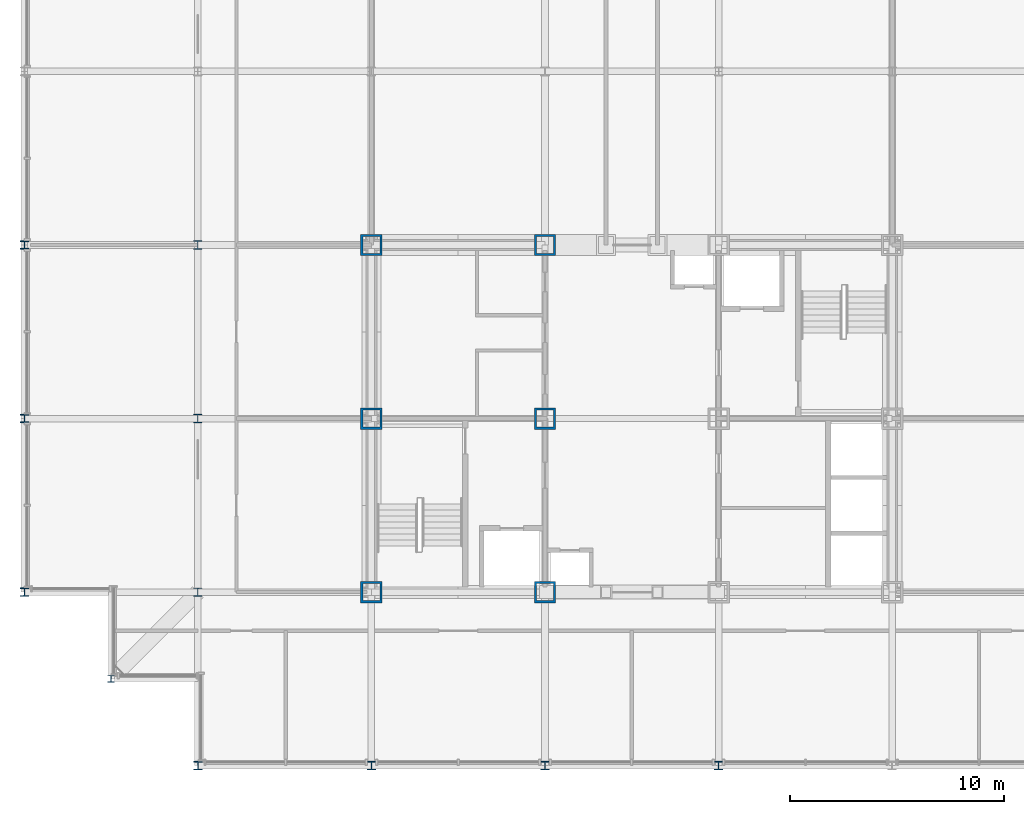
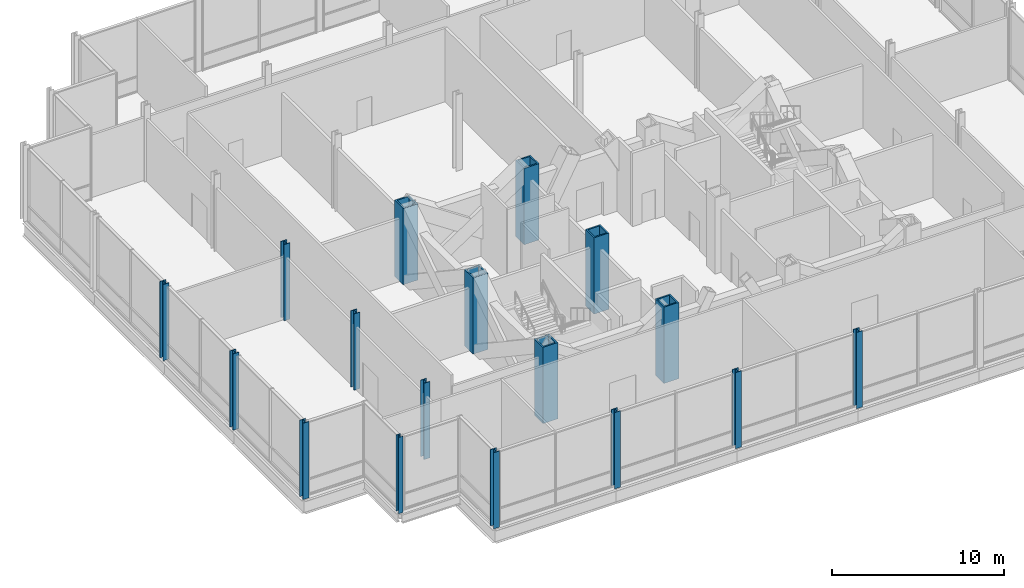
# One storey, part 1 of 21: 17 columns.
"""IFC4 building model written with IfcOpenShell, lengths in metres."""

import ifcopenshell
import ifcopenshell.guid

model = None  # the IFC model being written
_history = None  # IfcOwnerHistory: only IFC2X3 demands one
_inside = {}  # id of a spatial element -> (the spatial element, [elements in it])
_under = {}  # id of a project, library or spatial element -> (it, [spatial elements below it])
_declared = {}  # id of a project -> (the project, [libraries it declares])
_typed = {}  # id of a type object -> (the type object, [elements of that type])
_made_of = {}  # id of a material, layer set ... -> (it, [elements and type objects made of it])


def new_model(schema):
    """Start an empty IFC model of exactly this schema.

    Asked for "IFC4X3", IfcOpenShell would pick the latest addendum, in which some entities
    have other attributes; the version numbers below select the first issue.
    IFC2X3 requires an IfcOwnerHistory on every rooted entity: one is made here for all.
    """
    global model, _history
    if schema == "IFC4X3":
        model = ifcopenshell.file(schema_version=(4, 3, 0, 0))
    else:
        model = ifcopenshell.file(schema=schema)
    _inside.clear()
    _under.clear()
    _declared.clear()
    _typed.clear()
    _made_of.clear()
    _history = None
    if model.schema == "IFC2X3":
        org = make("IfcOrganization", Name="unknown")
        user = make(
            "IfcPersonAndOrganization",
            ThePerson=make("IfcPerson", FamilyName="unknown"),
            TheOrganization=org,
        )
        app = make(
            "IfcApplication",
            ApplicationDeveloper=org,
            Version="unknown",
            ApplicationFullName="unknown",
            ApplicationIdentifier="unknown",
        )
        _history = make(
            "IfcOwnerHistory",
            OwningUser=user,
            OwningApplication=app,
            ChangeAction="ADDED",
            CreationDate=0,
        )
    return model


def make(cls, **values):
    """One entity of the class cls with the attributes given. An attribute that is None is left unset."""
    return model.create_entity(
        cls, **{name: value for name, value in values.items() if value is not None}
    )


def rooted(cls, **values):
    """An entity with a GlobalId (a new one), such as an element, a storey or a relation."""
    return make(cls, GlobalId=ifcopenshell.guid.new(), OwnerHistory=_history, **values)


def si_unit(unit_type, name, prefix=None):
    """IfcSIUnit, for example si_unit("LENGTHUNIT", "METRE", prefix="MILLI")."""
    return make("IfcSIUnit", UnitType=unit_type, Prefix=prefix, Name=name)


def assignment(units):
    """IfcUnitAssignment: the units of a project."""
    return None if units is None else make("IfcUnitAssignment", Units=units)


def point(xyz):
    """IfcCartesianPoint."""
    return None if xyz is None else make("IfcCartesianPoint", Coordinates=xyz)


def direction(xyz):
    """IfcDirection."""
    return None if xyz is None else make("IfcDirection", DirectionRatios=xyz)


def frame(location, z_axis=None, x_axis=None):
    """IfcAxis2Placement3D, a coordinate frame: its origin and axes. An axis left out is left unset."""
    return make(
        "IfcAxis2Placement3D",
        Location=point(location),
        Axis=direction(z_axis),
        RefDirection=direction(x_axis),
    )


def frame_2d(location, x_axis=None):
    """IfcAxis2Placement2D, a coordinate frame in the plane: its origin and x axis."""
    return make(
        "IfcAxis2Placement2D", Location=point(location), RefDirection=direction(x_axis)
    )


def origin():
    """The frame at (0, 0, 0) with its axes left unset."""
    return frame((0.0, 0.0, 0.0))


def origin_2d():
    """The frame at (0, 0) in the plane with its x axis left unset."""
    return frame_2d((0.0, 0.0))


def place(relative_to, where):
    """IfcLocalPlacement: puts the frame where relative to a parent placement (None: the world)."""
    return make(
        "IfcLocalPlacement", PlacementRelTo=relative_to, RelativePlacement=where
    )


def context(
    kind, dimensions, precision=None, world=None, true_north=None, identifier=None
):
    """IfcGeometricRepresentationContext, for example the 3D "Model" context."""
    return make(
        "IfcGeometricRepresentationContext",
        ContextIdentifier=identifier,
        ContextType=kind,
        CoordinateSpaceDimension=dimensions,
        Precision=precision,
        WorldCoordinateSystem=world,
        TrueNorth=true_north,
    )


def subcontext(parent, identifier, kind, view, scale=None):
    """IfcGeometricRepresentationSubContext, for example "Body" below "Model"."""
    return make(
        "IfcGeometricRepresentationSubContext",
        ContextIdentifier=identifier,
        ContextType=kind,
        ParentContext=parent,
        TargetScale=scale,
        TargetView=view,
    )


def project(units=None, contexts=None):
    """IfcProject with its units and contexts."""
    return rooted(
        "IfcProject",
        Name="project",
        RepresentationContexts=contexts,
        UnitsInContext=assignment(units),
    )


def spatial(cls, under=None, at=None, **own):
    """A site, building, storey or space (cls), placed at a placement, below another one or the project."""
    s = rooted(cls, ObjectPlacement=at, **own)
    if under is not None:
        _under.setdefault(under.id(), (under, []))[1].append(s)
    return s


def profile(cls, at=None, kind="AREA", **sizes):
    """A parametric profile (cls). Its sizes go by their IFC names, for example OverallWidth=200.0."""
    return make(cls, ProfileType=kind, Position=at, **sizes)


def hollow_rectangle(**sizes):
    """IfcRectangleHollowProfileDef."""
    return profile("IfcRectangleHollowProfileDef", **sizes)


def i_section(**sizes):
    """IfcIShapeProfileDef."""
    return profile("IfcIShapeProfileDef", **sizes)


def extrude(swept, where, along, depth):
    """IfcExtrudedAreaSolid: the profile swept, set in the frame where, extruded along a direction by depth."""
    return make(
        "IfcExtrudedAreaSolid",
        SweptArea=swept,
        Position=where,
        ExtrudedDirection=direction(along),
        Depth=depth,
    )


def shape(context_of_items, identifier, shape_type, items):
    """IfcShapeRepresentation: the items that make up one representation, for example the "Body"."""
    return make(
        "IfcShapeRepresentation",
        ContextOfItems=context_of_items,
        RepresentationIdentifier=identifier,
        RepresentationType=shape_type,
        Items=items,
    )


def material(Name=None, Category=None):
    """IfcMaterial."""
    return make("IfcMaterial", Name=Name, Category=Category)


def material_profile(
    of_material, cross_section, Name=None, Category=None, Priority=None
):
    """IfcMaterialProfile: a cross section and its material."""
    return make(
        "IfcMaterialProfile",
        Name=Name,
        Material=of_material,
        Profile=cross_section,
        Priority=Priority,
        Category=Category,
    )


def profile_set(profiles, Name=None, composite=None):
    """IfcMaterialProfileSet."""
    return make(
        "IfcMaterialProfileSet",
        Name=Name,
        MaterialProfiles=profiles,
        CompositeProfile=composite,
    )


def made_of(thing, what):
    """Note that an element or type object is made of a material, layer set ...; save() writes the relation."""
    if what is not None:
        _made_of.setdefault(what.id(), (what, []))[1].append(thing)
    return thing


def type_object(cls, material=None, **own):
    """A type object (cls), such as IfcWallType, which elements share."""
    return made_of(rooted(cls, **own), material)


def element(
    cls,
    number,
    at=None,
    inside=None,
    cuts=None,
    type_object=None,
    material=None,
    context=None,
    identifier="Body",
    shape_type=None,
    held_by="IfcProductDefinitionShape",
    body=None,
    shapes=None,
    **own,
):
    """One element of the class cls, such as IfcWall. Its Tag is "e" and its number.

    at: its placement. inside: the storey or other place that contains it. cuts: it is an
    opening in that element (IfcRelVoidsElement). A single representation is given by context,
    identifier, shape_type and body (its items); several are given by shapes. held_by: the class
    of the entity that holds the representations. save() writes the other relations.
    """
    e = rooted(cls, Tag="e%d" % number, ObjectPlacement=at, **own)
    if body is not None:
        shapes = [shape(context, identifier, shape_type, body)]
    if shapes is not None:
        e.Representation = make(held_by, Representations=shapes)
    if inside is not None:
        _inside.setdefault(inside.id(), (inside, []))[1].append(e)
    if cuts is not None:
        rooted(
            "IfcRelVoidsElement", RelatingBuildingElement=cuts, RelatedOpeningElement=e
        )
    if type_object is not None:
        _typed.setdefault(type_object.id(), (type_object, []))[1].append(e)
    return made_of(e, material)


def aggregate(whole, parts):
    """IfcRelAggregates: a whole, such as a stair, and the parts it consists of."""
    return rooted("IfcRelAggregates", RelatingObject=whole, RelatedObjects=parts)


def save(model, path):
    """Write the relations noted so far, then the file.

    IfcRelAggregates (storeys below a building ...), IfcRelContainedInSpatialStructure (elements
    in a storey), IfcRelDefinesByType, IfcRelAssociatesMaterial and IfcRelDeclares: one each for
    every whole, place, type object, material and project.
    """
    for whole, parts in _under.values():
        aggregate(whole, parts)
    for where, things in _inside.values():
        rooted(
            "IfcRelContainedInSpatialStructure",
            RelatedElements=things,
            RelatingStructure=where,
        )
    for kind, things in _typed.values():
        rooted("IfcRelDefinesByType", RelatedObjects=things, RelatingType=kind)
    for what, things in _made_of.values():
        rooted("IfcRelAssociatesMaterial", RelatedObjects=things, RelatingMaterial=what)
    for by, libraries in _declared.values():
        rooted("IfcRelDeclares", RelatingContext=by, RelatedDefinitions=libraries)
    model.write(path)


model = new_model("IFC4")

# Units and contexts
model_context = context("Model", 3, precision=1e-05, world=origin(), true_north=direction((0.0, 1.0)))
body_context = subcontext(model_context, "Body", "Model", "MODEL_VIEW")
ifc_project = project(units=[si_unit("LENGTHUNIT", "METRE"), si_unit("AREAUNIT", "SQUARE_METRE"), si_unit("VOLUMEUNIT", "CUBIC_METRE"), si_unit("PLANEANGLEUNIT", "RADIAN"), si_unit("MASSUNIT", "GRAM", prefix="KILO")], contexts=[model_context])

# Site, building, storey
site_placement = place(None, origin())
site = spatial("IfcSite", under=ifc_project, at=site_placement, CompositionType="ELEMENT")
building_placement = place(site_placement, origin())
building = spatial("IfcBuilding", under=site, at=building_placement, Name="Kopane Lantern Tower", CompositionType="ELEMENT")
storey_placement = place(building_placement, frame((0.0, 0.0, 298.5)))
storey = spatial("IfcBuildingStorey", under=building, at=storey_placement, Name="L76", CompositionType="ELEMENT", Elevation=298.5)

# Columns
ifc_material_1 = material(Name="Steel S355JR", Category="steel")
ifc_material_profile_1 = material_profile(ifc_material_1, hollow_rectangle(XDim=1.0, YDim=1.0, WallThickness=0.10009765625, at=origin_2d()), Name="BOX 1000x1000x100")
ifc_profile_set_1 = profile_set([ifc_material_profile_1], Name="Steel S355JR")
column_type_1 = type_object("IfcColumnType", Name="COLUMN BOX 1000x1000x100", PredefinedType="COLUMN", material=ifc_profile_set_1)
for number, where, z_axis, x_axis, name in (
    (1, (16.199951171875, 24.300048828125, 0.0), (0.0, 0.0, 1.0), (1.0, 0.0, 0.0), "Column 4/E L76"),
    (2, (16.199951171875, 32.39990234375, 0.0), (0.0, 0.0, 1.0), (1.0, 0.0, 0.0), "Column 4/F L76"),
    (3, (16.199951171875, 40.5, 0.0), (0.0, 0.0, 1.0), (1.0, 0.0, 0.0), "Column 4/G L76"),
    (4, (24.300048828125, 24.300048828125, 0.0), (0.0, 0.0, 1.0), (1.0, 0.0, 0.0), "Column 5/E L76"),
    (5, (24.300048828125, 32.39990234375, 0.0), (0.0, 0.0, 1.0), (1.0, 0.0, 0.0), "Column 5/F L76"),
    (6, (24.300048828125, 40.5, 0.0), (0.0, 0.0, 1.0), (1.0, 0.0, 0.0), "Column 5/G L76"),
):
    element("IfcColumn", number, at=place(storey_placement, frame(where, z_axis=z_axis, x_axis=x_axis)), inside=storey, type_object=column_type_1, Name=name, PredefinedType="COLUMN", context=body_context, shape_type="SweptSolid", body=[
        extrude(hollow_rectangle(XDim=1.0, YDim=1.0, WallThickness=0.10009765625, at=origin_2d()), origin(), (0.0, 0.0, 1.0), 5.39990234375),
    ])
ifc_material_2 = material(Name="Steel S355JR", Category="steel")
ifc_material_profile_2 = material_profile(ifc_material_2, i_section(OverallWidth=0.307373046875, OverallDepth=0.314453125, WebThickness=0.011962890625, FlangeThickness=0.018798828125, FilletRadius=0.01513671875, at=origin_2d()), Name="UC 305x305x118")
ifc_profile_set_2 = profile_set([ifc_material_profile_2], Name="Steel S355JR")
column_type_2 = type_object("IfcColumnType", Name="COLUMN UC 305x305x118", PredefinedType="COLUMN", material=ifc_profile_set_2)
column_placement = place(storey_placement, frame((4.050048828125, 20.25, 0.0), z_axis=(0.0, 0.0, 1.0), x_axis=(1.0, 0.0, 0.0)))
element("IfcColumn", 7, at=column_placement, inside=storey, type_object=column_type_2, Name="Column 4.05/20.25 L76", PredefinedType="COLUMN", context=body_context, shape_type="SweptSolid", body=[
    extrude(i_section(OverallWidth=0.307373046875, OverallDepth=0.314453125, WebThickness=0.011962890625, FlangeThickness=0.018798828125, FilletRadius=0.01513671875, at=origin_2d()), origin(), (0.0, 0.0, 1.0), 5.39990234375),
])
ifc_material_3 = material(Name="Steel S355JR", Category="steel")
ifc_material_profile_3 = material_profile(ifc_material_3, i_section(OverallWidth=0.39892578125, OverallDepth=0.3935546875, WebThickness=0.022705078125, FlangeThickness=0.03662109375, FilletRadius=0.01513671875, at=origin_2d()), Name="UC 356x406x287")
ifc_profile_set_3 = profile_set([ifc_material_profile_3], Name="Steel S355JR")
column_type_3 = type_object("IfcColumnType", Name="COLUMN UC 356x406x287", PredefinedType="COLUMN", material=ifc_profile_set_3)
for number, where, z_axis, x_axis, name in (
    (8, (0.0, 24.300048828125, 0.0), (0.0, 0.0, 1.0), (1.0, 0.0, 0.0), "Column 2/E L76"),
    (9, (0.0, 32.39990234375, 0.0), (0.0, 0.0, 1.0), (1.0, 0.0, 0.0), "Column 2/F L76"),
    (10, (0.0, 40.5, 0.0), (0.0, 0.0, 1.0), (1.0, 0.0, 0.0), "Column 2/G L76"),
    (11, (8.10009765625, 16.199951171875, 0.0), (0.0, 0.0, 1.0), (1.0, 0.0, 0.0), "Column 3/D L76"),
    (12, (16.199951171875, 16.199951171875, 0.0), (0.0, 0.0, 1.0), (1.0, 0.0, 0.0), "Column 4/D L76"),
    (13, (24.300048828125, 16.199951171875, 0.0), (0.0, 0.0, 1.0), (1.0, 0.0, 0.0), "Column 5/D L76"),
    (14, (32.39990234375, 16.199951171875, 0.0), (0.0, 0.0, 1.0), (1.0, 0.0, 0.0), "Column 6/D L76"),
):
    element("IfcColumn", number, at=place(storey_placement, frame(where, z_axis=z_axis, x_axis=x_axis)), inside=storey, type_object=column_type_3, Name=name, PredefinedType="COLUMN", context=body_context, shape_type="SweptSolid", body=[
        extrude(i_section(OverallWidth=0.39892578125, OverallDepth=0.3935546875, WebThickness=0.022705078125, FlangeThickness=0.03662109375, FilletRadius=0.01513671875, at=origin_2d()), origin(), (0.0, 0.0, 1.0), 5.39990234375),
    ])
ifc_material_4 = material(Name="Steel S355JR", Category="steel")
ifc_material_profile_4 = material_profile(ifc_material_4, i_section(OverallWidth=0.403076171875, OverallDepth=0.406494140625, WebThickness=0.026611328125, FlangeThickness=0.04296875, FilletRadius=0.01513671875, at=origin_2d()), Name="UC 356x406x340")
ifc_profile_set_4 = profile_set([ifc_material_profile_4], Name="Steel S355JR")
column_type_4 = type_object("IfcColumnType", Name="COLUMN UC 356x406x340", PredefinedType="COLUMN", material=ifc_profile_set_4)
for number, where, z_axis, x_axis, name in (
    (15, (8.10009765625, 24.300048828125, 0.0), (0.0, 0.0, 1.0), (1.0, 0.0, 0.0), "Column 3/E L76"),
    (16, (8.10009765625, 32.39990234375, 0.0), (0.0, 0.0, 1.0), (1.0, 0.0, 0.0), "Column 3/F L76"),
    (17, (8.10009765625, 40.5, 0.0), (0.0, 0.0, 1.0), (1.0, 0.0, 0.0), "Column 3/G L76"),
):
    element("IfcColumn", number, at=place(storey_placement, frame(where, z_axis=z_axis, x_axis=x_axis)), inside=storey, type_object=column_type_4, Name=name, PredefinedType="COLUMN", context=body_context, shape_type="SweptSolid", body=[
        extrude(i_section(OverallWidth=0.403076171875, OverallDepth=0.406494140625, WebThickness=0.026611328125, FlangeThickness=0.04296875, FilletRadius=0.01513671875, at=origin_2d()), origin(), (0.0, 0.0, 1.0), 5.39990234375),
    ])

save(model, "model.ifc")
